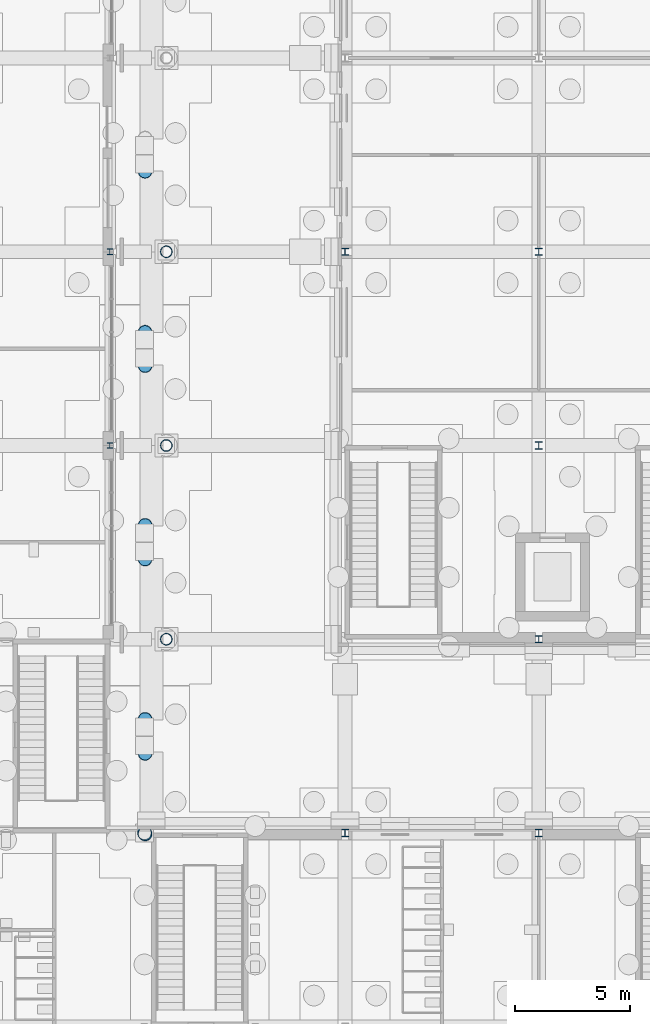
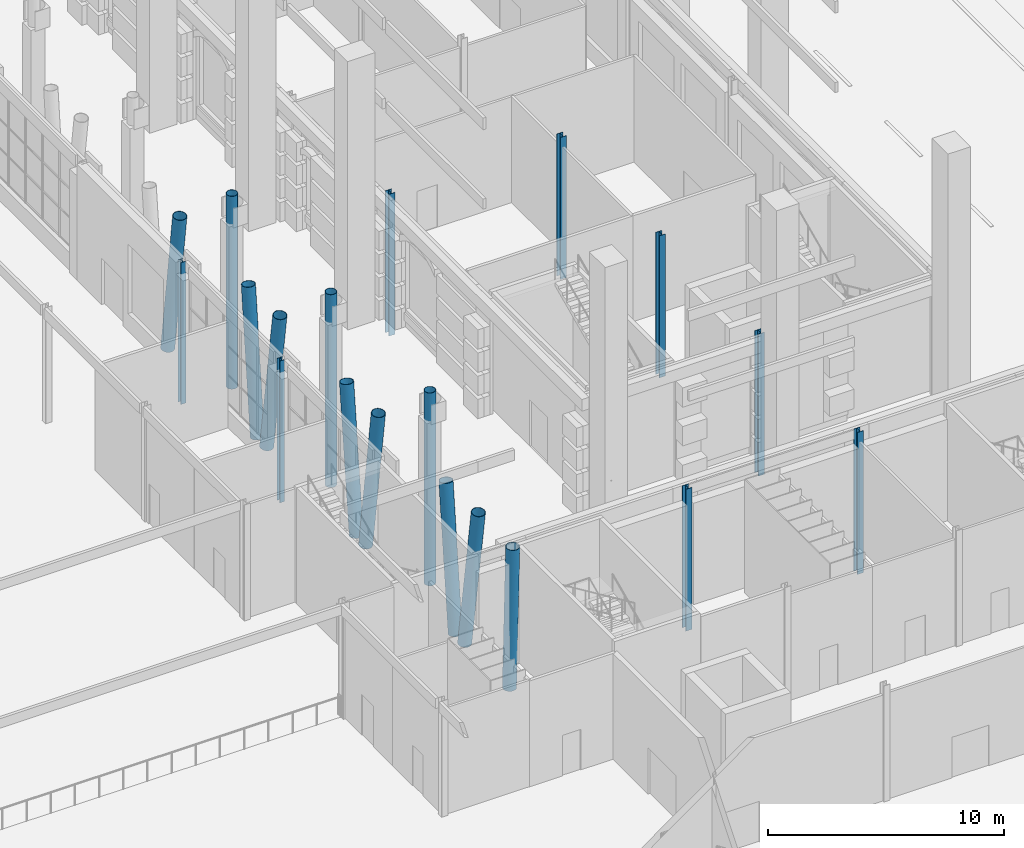
# One storey, part 20 of 222: 19 columns.
"""IFC4 building model written with IfcOpenShell, lengths in metres."""

from ifc_helpers import new_model, si_unit, direction, frame, origin, origin_2d, place, context, subcontext, project, spatial, hollow_circle, i_section, extrude, material, material_profile, profile_set, type_object, element, save


model = new_model("IFC4")

# Units and contexts
model_context = context("Model", 3, precision=1e-05, world=origin(), true_north=direction((0.0, 1.0)))
body_context = subcontext(model_context, "Body", "Model", "MODEL_VIEW")
ifc_project = project(units=[si_unit("LENGTHUNIT", "METRE"), si_unit("AREAUNIT", "SQUARE_METRE"), si_unit("VOLUMEUNIT", "CUBIC_METRE"), si_unit("PLANEANGLEUNIT", "RADIAN"), si_unit("MASSUNIT", "GRAM", prefix="KILO")], contexts=[model_context])

# Site, building, storey
site_placement = place(None, origin())
site = spatial("IfcSite", under=ifc_project, at=site_placement, CompositionType="ELEMENT")
building_placement = place(site_placement, origin())
building = spatial("IfcBuilding", under=site, at=building_placement, Name="Sava Quay Ferry Terminal", CompositionType="ELEMENT")
storey_placement = place(building_placement, origin())
storey = spatial("IfcBuildingStorey", under=building, at=storey_placement, Name="L00", CompositionType="ELEMENT", Elevation=0.0)

# Columns
ifc_material_1 = material(Name="Steel S355", Category="steel")
ifc_material_profile_1 = material_profile(ifc_material_1, i_section(OverallWidth=0.239990234375, OverallDepth=0.239990234375, WebThickness=0.010009765625, FlangeThickness=0.01708984375, at=origin_2d()), Name="HE 240 B")
ifc_profile_set_1 = profile_set([ifc_material_profile_1], Name="Steel S355")
column_type_1 = type_object("IfcColumnType", Name="Column HE 240 B", PredefinedType="COLUMN", material=ifc_profile_set_1)
for number, where, z_axis, x_axis, name in (
    (1, (82.199951171875, 67.199951171875, -1.35009765625), (0.0, 0.0, 1.0), (1.0, 0.0, 0.0), "Column L00 82.2/67.2"),
    (2, (82.199951171875, 75.60009765625, -1.35009765625), (0.0, 0.0, 1.0), (1.0, 0.0, 0.0), "Column L00 82.2/75.6"),
):
    element("IfcColumn", number, at=place(storey_placement, frame(where, z_axis=z_axis, x_axis=x_axis)), inside=storey, type_object=column_type_1, Name=name, PredefinedType="COLUMN", context=body_context, shape_type="SweptSolid", body=[
        extrude(i_section(OverallWidth=0.239990234375, OverallDepth=0.239990234375, WebThickness=0.010009765625, FlangeThickness=0.01708984375, at=origin_2d()), origin(), (0.0, 0.0, 1.0), 7.35009765625),
    ])
ifc_material_2 = material(Name="Steel S355", Category="steel")
ifc_material_profile_2 = material_profile(ifc_material_2, i_section(OverallWidth=0.300048828125, OverallDepth=0.320068359375, WebThickness=0.011474609375, FlangeThickness=0.0205078125, at=origin_2d()), Name="HE 320 B")
ifc_profile_set_2 = profile_set([ifc_material_profile_2], Name="Steel S355")
column_type_2 = type_object("IfcColumnType", Name="Column HE 320 B", PredefinedType="COLUMN", material=ifc_profile_set_2)
for number, where, z_axis, x_axis, name in (
    (3, (92.39990234375, 50.39990234375, -1.35009765625), (0.0, 0.0, 1.0), (1.0, 0.0, 0.0), "Column L00 92.4/50.4"),
    (4, (92.39990234375, 75.60009765625, -1.35009765625), (0.0, 0.0, 1.0), (1.0, 0.0, 0.0), "Column L00 92.4/75.6"),
    (5, (100.800048828125, 50.39990234375, -1.35009765625), (0.0, 0.0, 1.0), (1.0, 0.0, 0.0), "Column L00 100.8/50.4"),
    (6, (100.800048828125, 58.800048828125, -1.35009765625), (0.0, 0.0, 1.0), (1.0, 0.0, 0.0), "Column L00 100.8/58.8"),
    (7, (100.800048828125, 67.199951171875, -1.35009765625), (0.0, 0.0, 1.0), (1.0, 0.0, 0.0), "Column L00 100.8/67.2"),
    (8, (100.800048828125, 75.60009765625, -1.35009765625), (0.0, 0.0, 1.0), (1.0, 0.0, 0.0), "Column L00 100.8/75.6"),
):
    element("IfcColumn", number, at=place(storey_placement, frame(where, z_axis=z_axis, x_axis=x_axis)), inside=storey, type_object=column_type_2, Name=name, PredefinedType="COLUMN", context=body_context, shape_type="SweptSolid", body=[
        extrude(i_section(OverallWidth=0.300048828125, OverallDepth=0.320068359375, WebThickness=0.011474609375, FlangeThickness=0.0205078125, at=origin_2d()), origin(), (0.0, 0.0, 1.0), 7.35009765625),
    ])
ifc_material_3 = material(Name="Steel S355", Category="steel")
ifc_material_profile_3 = material_profile(ifc_material_3, hollow_circle(Radius=0.25390625, WallThickness=0.01611328125, at=origin_2d()), Name="CHS 508 x 16.0")
ifc_profile_set_3 = profile_set([ifc_material_profile_3], Name="Steel S355")
column_type_3 = type_object("IfcColumnType", Name="Stern post CHS 508x16", PredefinedType="COLUMN", material=ifc_profile_set_3)
for number, where, z_axis, x_axis, name in (
    (9, (84.64990234375, 58.800048828125, -1.35009765625), (0.0, 0.0, 1.0), (1.0, 0.0, 0.0), "Passage roof post 1"),
    (10, (84.64990234375, 67.199951171875, -1.35009765625), (0.0, 0.0, 1.0), (1.0, 0.0, 0.0), "Passage roof post 2"),
    (11, (84.64990234375, 75.60009765625, -1.35009765625), (0.0, 0.0, 1.0), (1.0, 0.0, 0.0), "Passage roof post 3"),
):
    element("IfcColumn", number, at=place(storey_placement, frame(where, z_axis=z_axis, x_axis=x_axis)), inside=storey, type_object=column_type_3, Name=name, PredefinedType="COLUMN", context=body_context, shape_type="SweptSolid", body=[
        extrude(hollow_circle(Radius=0.25390625, WallThickness=0.01611328125, at=origin_2d()), origin(), (0.0, 0.0, 1.0), 9.988525390625),
    ])
ifc_material_4 = material(Name="Steel S355", Category="steel")
ifc_material_profile_4 = material_profile(ifc_material_4, hollow_circle(Radius=0.304931640625, WallThickness=0.02001953125, at=origin_2d()), Name="CHS 610 x 20.0")
ifc_profile_set_4 = profile_set([ifc_material_profile_4], Name="Steel S355")
column_type_4 = type_object("IfcColumnType", Name="V column CHS 610x20", PredefinedType="COLUMN", material=ifc_profile_set_4)
column_1_placement = place(storey_placement, frame((83.699951171875, 50.39990234375, -1.35009765625), z_axis=(0.012121219783, -0.01683687241, 0.999784774718), x_axis=(0.811564701734, 0.584262556475, 0.0)))
element("IfcColumn", 12, at=column_1_placement, inside=storey, type_object=column_type_4, Name="Departure hall V column D-VR0a part 1", PredefinedType="COLUMN", context=body_context, shape_type="SweptSolid", body=[
    extrude(hollow_circle(Radius=0.304931640625, WallThickness=0.02001953125, at=origin_2d()), origin(), (0.0, 0.0, 1.0), 7.3515625),
])
column_2_placement = place(storey_placement, frame((83.699951171875, 54.199951171875, -1.35009765625), z_axis=(0.012011273809, -0.13541477185, 0.990716189868), x_axis=(0.996089227205, 0.088352993422, 0.0)))
element("IfcColumn", 13, at=column_2_placement, inside=storey, type_object=column_type_4, Name="Departure hall V column D-VR0b part 1", PredefinedType="COLUMN", context=body_context, shape_type="SweptSolid", body=[
    extrude(hollow_circle(Radius=0.304931640625, WallThickness=0.02001953125, at=origin_2d()), origin(), (0.0, 0.0, 1.0), 7.4189453125),
])
for number, where, z_axis, x_axis, name in (
    (14, (83.699951171875, 55.0, -1.35009765625), (0.010972097036, 0.125997895094, 0.991969829944), (-0.996229827335, 0.086753277328, 0.0), "Departure hall V column D-VR1a part 1"),
    (15, (83.699951171875, 62.60009765625, -1.35009765625), (0.010972097036, -0.125997895094, 0.991969829944), (0.996229827335, 0.086753277328, 0.0), "Departure hall V column D-VR1b part 1"),
):
    element("IfcColumn", number, at=place(storey_placement, frame(where, z_axis=z_axis, x_axis=x_axis)), inside=storey, type_object=column_type_4, Name=name, PredefinedType="COLUMN", context=body_context, shape_type="SweptSolid", body=[
        extrude(hollow_circle(Radius=0.304931640625, WallThickness=0.02001953125, at=origin_2d()), origin(), (0.0, 0.0, 1.0), 7.40966796875),
    ])
for number, where, z_axis, x_axis, name in (
    (16, (83.699951171875, 63.39990234375, -1.35009765625), (0.011425779166, 0.131050723576, 0.991309820097), (-0.99622083839, 0.08685643993, 0.0), "Departure hall V column D-VR2a part 1"),
    (17, (83.699951171875, 71.0, -1.35009765625), (0.011425828464, -0.131018361553, 0.991314097237), (0.996218949359, 0.086878103902, 0.0), "Departure hall V column D-VR2b part 1"),
):
    element("IfcColumn", number, at=place(storey_placement, frame(where, z_axis=z_axis, x_axis=x_axis)), inside=storey, type_object=column_type_4, Name=name, PredefinedType="COLUMN", context=body_context, shape_type="SweptSolid", body=[
        extrude(hollow_circle(Radius=0.304931640625, WallThickness=0.02001953125, at=origin_2d()), origin(), (0.0, 0.0, 1.0), 7.41455078125),
    ])
for number, where, z_axis, x_axis, name in (
    (18, (83.699951171875, 71.800048828125, -1.35009765625), (0.010485360194, 0.120317859589, 0.992680044065), (-0.996224179343, 0.086818111546, 0.0), "Departure hall V column D-VR3a part 1"),
    (19, (83.699951171875, 79.39990234375, -1.35009765625), (0.010485360194, -0.120317859589, 0.992680044065), (0.996224179343, 0.086818111546, 0.0), "Departure hall V column D-VR3b part 1"),
):
    element("IfcColumn", number, at=place(storey_placement, frame(where, z_axis=z_axis, x_axis=x_axis)), inside=storey, type_object=column_type_4, Name=name, PredefinedType="COLUMN", context=body_context, shape_type="SweptSolid", body=[
        extrude(hollow_circle(Radius=0.304931640625, WallThickness=0.02001953125, at=origin_2d()), origin(), (0.0, 0.0, 1.0), 7.404296875),
    ])

save(model, "model.ifc")
